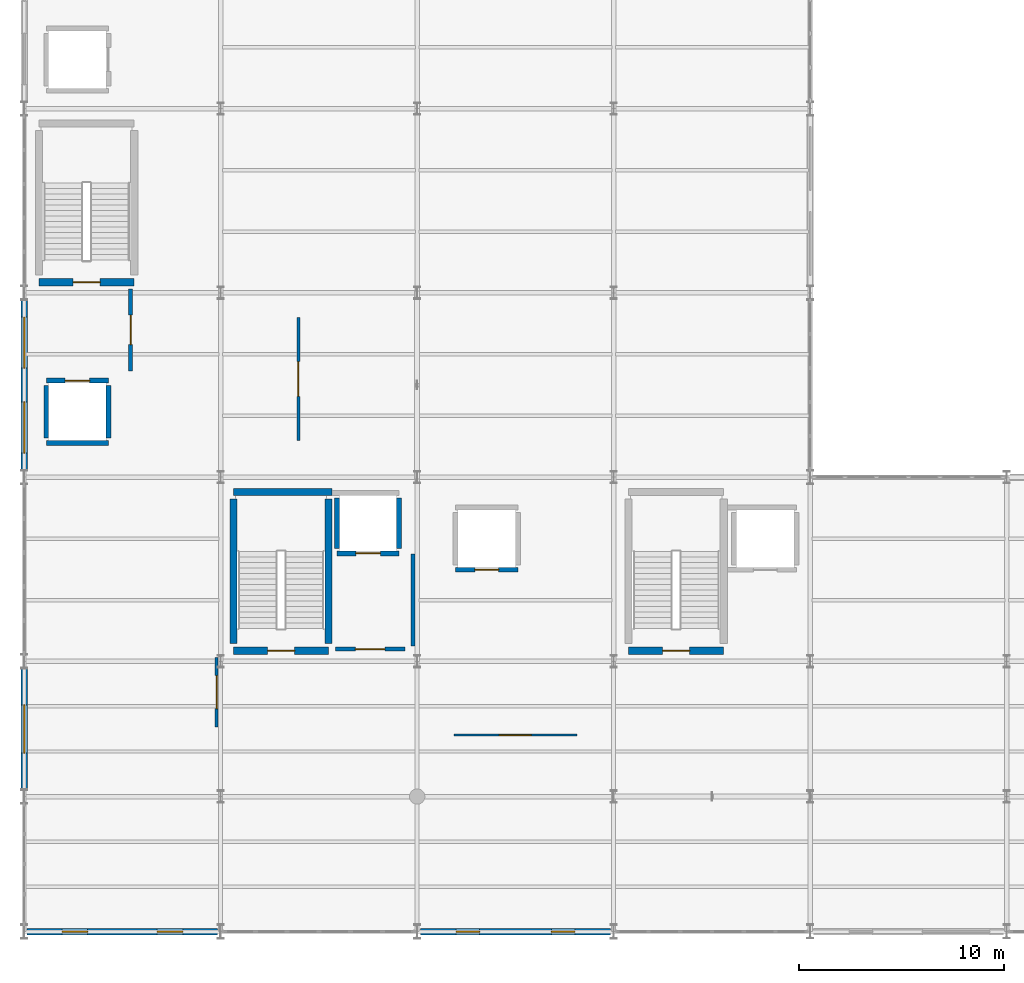
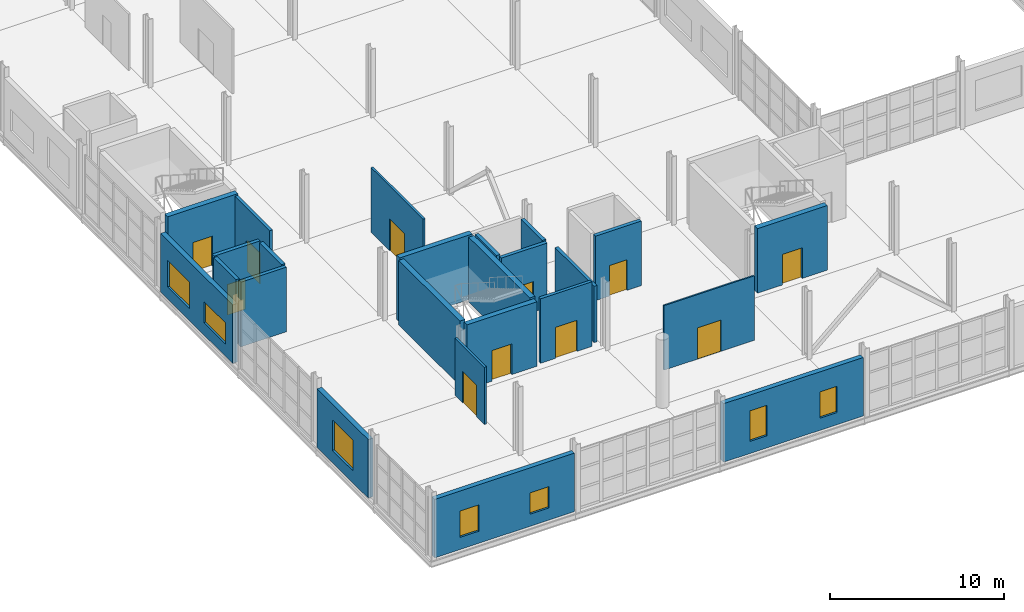
# One storey, part 106 of 120: 24 walls, 11 doors, 7 windows, 18 openings.
"""IFC4 building model written with IfcOpenShell, lengths in metres."""

from ifc_helpers import new_model, si_unit, direction, frame, frame_2d, origin, place, context, subcontext, project, spatial, rectangle, extrude, material, layer, layer_set, type_object, element, fill, save


model = new_model("IFC4")

# Units and contexts
model_context = context("Model", 3, precision=1e-05, world=origin(), true_north=direction((0.0, 1.0)))
body_context = subcontext(model_context, "Body", "Model", "MODEL_VIEW")
ifc_project = project(units=[si_unit("LENGTHUNIT", "METRE"), si_unit("AREAUNIT", "SQUARE_METRE"), si_unit("VOLUMEUNIT", "CUBIC_METRE"), si_unit("PLANEANGLEUNIT", "RADIAN"), si_unit("MASSUNIT", "GRAM", prefix="KILO")], contexts=[model_context])

# Site, building, storey
site_placement = place(None, origin())
site = spatial("IfcSite", under=ifc_project, at=site_placement, CompositionType="ELEMENT")
building_placement = place(site_placement, origin())
building = spatial("IfcBuilding", under=site, at=building_placement, Name="Zarnetskaya Central Station", CompositionType="ELEMENT")
storey_placement = place(building_placement, frame((0.0, 0.0, 5.39990234375)))
storey = spatial("IfcBuildingStorey", under=building, at=storey_placement, Name="L01", CompositionType="ELEMENT", Elevation=5.39990234375)

# Wall, opening, door
ifc_material_1 = material(Name="Gypsum acoustic partition")
ifc_layer_1 = layer(ifc_material_1, 0.159912109375, Name="Gypsum acoustic partition")
ifc_layer_set_1 = layer_set([ifc_layer_1], Name="Gypsum acoustic partition")
wall_type_1 = type_object("IfcWallType", Name="PART-ACOU-160", PredefinedType="PARTITIONING", material=ifc_layer_set_1)
wall_1_placement = place(storey_placement, frame((9.39990234375, 13.39990234375, 0.0), z_axis=(0.0, 0.0, 1.0), x_axis=(0.0, -1.0, 0.0)))
wall_1 = element("IfcWall", 1, at=wall_1_placement, inside=storey, type_object=wall_type_1, Name="Interior partition IPRT-L01-0413", PredefinedType="PARTITIONING", context=body_context, shape_type="SweptSolid", body=[
    extrude(rectangle(XDim=3.39990234375, YDim=0.159912109375, at=frame_2d((1.699951171875, 0.0))), origin(), (0.0, 0.0, 1.0), 4.010009765625),
])
opening_1_placement = place(wall_1_placement, frame((0.889892578125, 0.0, 0.0)))
opening_1 = element("IfcOpeningElement", 2, at=opening_1_placement, cuts=wall_1, Name="Opening DR-13", PredefinedType="OPENING", context=body_context, shape_type="SweptSolid", body=[
    extrude(rectangle(XDim=1.6201171875, YDim=2.219970703125, at=frame_2d((0.81005859375, 1.10986328125))), frame((0.0, 0.08984375, 0.0), z_axis=(0.0, -1.0, 0.0), x_axis=(1.0, 0.0, 0.0)), (0.0, 0.0, 1.0), 0.179931640625),
])
ifc_material_2 = material(Name="Anodised aluminium", Category="aluminium")
door_type_1 = type_object("IfcDoorType", Name="DR-INT-16", OperationType="NOTDEFINED", PredefinedType="DOOR", material=ifc_material_2)
door_1_placement = place(opening_1_placement, origin())
door_1 = element("IfcDoor", 3, at=door_1_placement, inside=storey, type_object=door_type_1, Name="Passenger Customer Service and Lost Property Suite door", OperationType="SINGLE_SWING_LEFT", OverallHeight=2.219970703125, OverallWidth=1.6201171875, PredefinedType="DOOR", context=body_context, shape_type="SweptSolid", body=[
    extrude(rectangle(XDim=1.6201171875, YDim=2.219970703125, at=frame_2d((0.81005859375, 1.10986328125))), frame((0.0, 0.02490234375, 0.0), z_axis=(0.0, -1.0, 0.0), x_axis=(1.0, 0.0, 0.0)), (0.0, 0.0, 1.0), 0.050048828125),
])
fill(opening_1, door_1)

ifc_material_3 = material(Name="Concrete C30/37", Category="concrete")
ifc_layer_2 = layer(ifc_material_3, 0.205078125, Name="Concrete C30/37", Category="concrete")
ifc_layer_set_2 = layer_set([ifc_layer_2], Name="Concrete C30/37")
wall_type_2 = type_object("IfcWallType", Name="PART-FFL-205", PredefinedType="PARTITIONING", material=ifc_layer_set_2)
wall_2_placement = place(storey_placement, frame((18.60009765625, 13.800048828125, 0.0), z_axis=(0.0, 0.0, 1.0), x_axis=(-1.0, 0.0, 0.0)))
wall_2 = element("IfcWall", 4, at=wall_2_placement, inside=storey, type_object=wall_type_2, Name="Interior partition IPRT-L01-0359", PredefinedType="PARTITIONING", context=body_context, shape_type="SweptSolid", body=[
    extrude(rectangle(XDim=3.400146484375, YDim=0.205078125, at=frame_2d((1.7001953125, 0.0))), origin(), (0.0, 0.0, 1.0), 4.5400390625),
])
opening_2_placement = place(wall_2_placement, frame((0.97998046875, 0.0, 0.0)))
opening_2 = element("IfcOpeningElement", 5, at=opening_2_placement, cuts=wall_2, Name="Opening DR-FFL", PredefinedType="OPENING", context=body_context, shape_type="SweptSolid", body=[
    extrude(rectangle(XDim=1.43994140625, YDim=2.179931640625, at=frame_2d((0.719970703125, 1.08984375))), frame((0.0, 0.112548828125, 0.0), z_axis=(0.0, -1.0, 0.0), x_axis=(1.0, 0.0, 0.0)), (0.0, 0.0, 1.0), 0.22509765625),
])
door_type_2 = type_object("IfcDoorType", Name="DR-FIRE-LOBBY", OperationType="NOTDEFINED", PredefinedType="DOOR", material=ifc_material_2)
door_2_placement = place(opening_2_placement, origin())
door_2 = element("IfcDoor", 6, at=door_2_placement, inside=storey, type_object=door_type_2, Name="Firefighting Lift Lobby C1 door", OperationType="SINGLE_SWING_RIGHT", OverallHeight=2.179931640625, OverallWidth=1.43994140625, PredefinedType="DOOR", context=body_context, shape_type="SweptSolid", body=[
    extrude(rectangle(XDim=1.43994140625, YDim=2.179931640625, at=frame_2d((0.719970703125, 1.08984375))), frame((0.0, 0.02490234375, 0.0), z_axis=(0.0, -1.0, 0.0), x_axis=(1.0, 0.0, 0.0)), (0.0, 0.0, 1.0), 0.050048828125),
])
fill(opening_2, door_2)

# Wall
wall_3_placement = place(storey_placement, frame((19.0, 18.449951171875, 0.0), z_axis=(0.0, 0.0, 1.0), x_axis=(0.0, -1.0, 0.0)))
element("IfcWall", 7, at=wall_3_placement, inside=storey, type_object=wall_type_2, Name="Interior partition IPRT-L01-0360", PredefinedType="PARTITIONING", context=body_context, shape_type="SweptSolid", body=[
    extrude(rectangle(XDim=4.5, YDim=0.205078125, at=frame_2d((2.25, 0.0))), origin(), (0.0, 0.0, 1.0), 3.960205078125),
])

# Wall, opening, door
wall_4_placement = place(storey_placement, frame((5.199951171875, 31.39990234375, 0.0), z_axis=(0.0, 0.0, 1.0), x_axis=(0.0, -1.0, 0.0)))
wall_4 = element("IfcWall", 8, at=wall_4_placement, inside=storey, type_object=wall_type_2, Name="Interior partition IPRT-L01-0361", PredefinedType="PARTITIONING", context=body_context, shape_type="SweptSolid", body=[
    extrude(rectangle(XDim=4.0, YDim=0.205078125, at=frame_2d((2.0, 0.0))), origin(), (0.0, 0.0, 1.0), 4.5400390625),
])
opening_3_placement = place(wall_4_placement, frame((1.280029296875, 0.0, 0.0)))
opening_3 = element("IfcOpeningElement", 9, at=opening_3_placement, cuts=wall_4, Name="Opening DR-FFL", PredefinedType="OPENING", context=body_context, shape_type="SweptSolid", body=[
    extrude(rectangle(XDim=1.43994140625, YDim=2.179931640625, at=frame_2d((0.719970703125, 1.08984375))), frame((0.0, 0.112548828125, 0.0), z_axis=(0.0, -1.0, 0.0), x_axis=(1.0, 0.0, 0.0)), (0.0, 0.0, 1.0), 0.22509765625),
])
door_3_placement = place(opening_3_placement, origin())
door_3 = element("IfcDoor", 10, at=door_3_placement, inside=storey, type_object=door_type_2, Name="Firefighting Lift Lobby C2 door", OperationType="SINGLE_SWING_LEFT", OverallHeight=2.179931640625, OverallWidth=1.43994140625, PredefinedType="DOOR", context=body_context, shape_type="SweptSolid", body=[
    extrude(rectangle(XDim=1.43994140625, YDim=2.179931640625, at=frame_2d((0.719970703125, 1.08984375))), frame((0.0, 0.02490234375, 0.0), z_axis=(0.0, -1.0, 0.0), x_axis=(1.0, 0.0, 0.0)), (0.0, 0.0, 1.0), 0.050048828125),
])
fill(opening_3, door_3)

ifc_layer_3 = layer(ifc_material_1, 0.14501953125, Name="Gypsum acoustic partition")
ifc_layer_set_3 = layer_set([ifc_layer_3], Name="Gypsum acoustic partition")
wall_type_3 = type_object("IfcWallType", Name="PART-HALL-145", PredefinedType="PARTITIONING", material=ifc_layer_set_3)
wall_5_placement = place(storey_placement, frame((13.39990234375, 24.0, 0.0), z_axis=(0.0, 0.0, 1.0), x_axis=(0.0, 1.0, 0.0)))
wall_5 = element("IfcWall", 11, at=wall_5_placement, inside=storey, type_object=wall_type_3, Name="Interior partition IPRT-L01-0414", PredefinedType="PARTITIONING", context=body_context, shape_type="SweptSolid", body=[
    extrude(rectangle(XDim=6.0, YDim=0.14501953125, at=frame_2d((3.0, 0.0))), origin(), (0.0, 0.0, 1.0), 4.5400390625),
])
opening_4_placement = place(wall_5_placement, frame((2.14990234375, 0.0, 0.0)))
opening_4 = element("IfcOpeningElement", 12, at=opening_4_placement, cuts=wall_5, Name="Opening DR-05", PredefinedType="OPENING", context=body_context, shape_type="SweptSolid", body=[
    extrude(rectangle(XDim=1.699951171875, YDim=2.219970703125, at=frame_2d((0.85009765625, 1.10986328125))), frame((0.0, 0.08251953125, 0.0), z_axis=(0.0, -1.0, 0.0), x_axis=(1.0, 0.0, 0.0)), (0.0, 0.0, 1.0), 0.1650390625),
])
door_type_3 = type_object("IfcDoorType", Name="DR-INT-17", OperationType="NOTDEFINED", PredefinedType="DOOR", material=ifc_material_2)
door_4_placement = place(opening_4_placement, origin())
door_4 = element("IfcDoor", 13, at=door_4_placement, inside=storey, type_object=door_type_3, Name="Station Operations Mezzanine East door", OperationType="SINGLE_SWING_RIGHT", OverallHeight=2.219970703125, OverallWidth=1.699951171875, PredefinedType="DOOR", context=body_context, shape_type="SweptSolid", body=[
    extrude(rectangle(XDim=1.699951171875, YDim=2.219970703125, at=frame_2d((0.85009765625, 1.10986328125))), frame((0.0, 0.02490234375, 0.0), z_axis=(0.0, -1.0, 0.0), x_axis=(1.0, 0.0, 0.0)), (0.0, 0.0, 1.0), 0.050048828125),
])
fill(opening_4, door_4)

ifc_material_4 = material(Name="Gypsum stud partition")
ifc_layer_4 = layer(ifc_material_4, 0.10009765625, Name="Gypsum stud partition")
ifc_layer_set_4 = layer_set([ifc_layer_4], Name="Gypsum stud partition")
wall_type_4 = type_object("IfcWallType", Name="PART-LGT-100", PredefinedType="PARTITIONING", material=ifc_layer_set_4)
wall_6_placement = place(storey_placement, frame((21.0, 9.60009765625, 0.0), z_axis=(0.0, 0.0, 1.0), x_axis=(1.0, 0.0, 0.0)))
wall_6 = element("IfcWall", 14, at=wall_6_placement, inside=storey, type_object=wall_type_4, Name="Interior partition IPRT-L01-0412", PredefinedType="PARTITIONING", context=body_context, shape_type="SweptSolid", body=[
    extrude(rectangle(XDim=6.0, YDim=0.10009765625, at=frame_2d((3.0, 0.0))), origin(), (0.0, 0.0, 1.0), 4.5400390625),
])
opening_5_placement = place(wall_6_placement, frame((2.219970703125, 0.0, 0.0)))
opening_5 = element("IfcOpeningElement", 15, at=opening_5_placement, cuts=wall_6, Name="Opening DR-10", PredefinedType="OPENING", context=body_context, shape_type="SweptSolid", body=[
    extrude(rectangle(XDim=1.56005859375, YDim=2.199951171875, at=frame_2d((0.780029296875, 1.10009765625))), frame((0.0, 0.06005859375, 0.0), z_axis=(0.0, -1.0, 0.0), x_axis=(1.0, 0.0, 0.0)), (0.0, 0.0, 1.0), 0.1201171875),
])
door_type_4 = type_object("IfcDoorType", Name="DR-INT-15", OperationType="NOTDEFINED", PredefinedType="DOOR", material=ifc_material_2)
door_5_placement = place(opening_5_placement, origin())
door_5 = element("IfcDoor", 16, at=door_5_placement, inside=storey, type_object=door_type_4, Name="International Ticketing Mezzanine and Travel Centre door", OperationType="SINGLE_SWING_RIGHT", OverallHeight=2.199951171875, OverallWidth=1.56005859375, PredefinedType="DOOR", context=body_context, shape_type="SweptSolid", body=[
    extrude(rectangle(XDim=1.56005859375, YDim=2.199951171875, at=frame_2d((0.780029296875, 1.10009765625))), frame((0.0, 0.02490234375, 0.0), z_axis=(0.0, -1.0, 0.0), x_axis=(1.0, 0.0, 0.0)), (0.0, 0.0, 1.0), 0.050048828125),
])
fill(opening_5, door_5)

ifc_material_5 = material(Name="Concrete C35/45", Category="concrete")
ifc_layer_5 = layer(ifc_material_5, 0.35009765625, Name="Concrete C35/45", Category="concrete")
ifc_layer_set_5 = layer_set([ifc_layer_5], Name="Concrete C35/45")
wall_type_5 = type_object("IfcWallType", Name="WALL-CORE-350", PredefinedType="SHEAR", material=ifc_layer_set_5)
wall_7_placement = place(storey_placement, frame((14.875, 13.72509765625, 0.0), z_axis=(0.0, 0.0, 1.0), x_axis=(-1.0, 0.0, 0.0)))
wall_7 = element("IfcWall", 17, at=wall_7_placement, inside=storey, type_object=wall_type_5, Name="Core shear wall WSTR-L01-0197", PredefinedType="SHEAR", context=body_context, shape_type="SweptSolid", body=[
    extrude(rectangle(XDim=4.64990234375, YDim=0.35009765625, at=frame_2d((2.324951171875, 0.0))), origin(), (0.0, 0.0, 1.0), 4.5400390625),
])
opening_6_placement = place(wall_7_placement, frame((1.6650390625, 0.0, 0.0)))
opening_6 = element("IfcOpeningElement", 18, at=opening_6_placement, cuts=wall_7, Name="Opening DR-FD60", PredefinedType="OPENING", context=body_context, shape_type="SweptSolid", body=[
    extrude(rectangle(XDim=1.320068359375, YDim=2.14990234375, at=frame_2d((0.66015625, 1.074951171875))), frame((0.0, 0.18505859375, 0.0), z_axis=(0.0, -1.0, 0.0), x_axis=(1.0, 0.0, 0.0)), (0.0, 0.0, 1.0), 0.3701171875),
])
door_type_5 = type_object("IfcDoorType", Name="DR-FIRE-STAIR", OperationType="NOTDEFINED", PredefinedType="DOOR", material=ifc_material_2)
door_6_placement = place(opening_6_placement, origin())
door_6 = element("IfcDoor", 19, at=door_6_placement, inside=storey, type_object=door_type_5, Name="Protected exit stair door ST-C1 L01", OperationType="SINGLE_SWING_LEFT", OverallHeight=2.14990234375, OverallWidth=1.320068359375, PredefinedType="DOOR", context=body_context, shape_type="SweptSolid", body=[
    extrude(rectangle(XDim=1.320068359375, YDim=2.14990234375, at=frame_2d((0.66015625, 1.074951171875))), frame((0.0, 0.02490234375, 0.0), z_axis=(0.0, -1.0, 0.0), x_axis=(1.0, 0.0, 0.0)), (0.0, 0.0, 1.0), 0.050048828125),
])
fill(opening_6, door_6)

# Walls
wall_8_placement = place(storey_placement, frame((10.22509765625, 21.47509765625, 0.0), z_axis=(0.0, 0.0, 1.0), x_axis=(1.0, 0.0, 0.0)))
element("IfcWall", 20, at=wall_8_placement, inside=storey, type_object=wall_type_5, Name="Core shear wall WSTR-L01-0198", PredefinedType="SHEAR", context=body_context, shape_type="SweptSolid", body=[
    extrude(rectangle(XDim=4.824951171875, YDim=0.35009765625, at=frame_2d((2.41259765625, 0.0))), origin(), (0.0, 0.0, 1.0), 4.5400390625),
])
for number, where, z_axis, x_axis, name in (
    (21, (10.22509765625, 14.074951171875, 0.0), (0.0, 0.0, 1.0), (0.0, 1.0, 0.0), "Core shear wall WSTR-L01-0199"),
    (22, (14.875, 21.125, 0.0), (0.0, 0.0, 1.0), (0.0, -1.0, 0.0), "Core shear wall WSTR-L01-0200"),
):
    element("IfcWall", number, at=place(storey_placement, frame(where, z_axis=z_axis, x_axis=x_axis)), inside=storey, type_object=wall_type_5, Name=name, PredefinedType="SHEAR", context=body_context, shape_type="SweptSolid", body=[
        extrude(rectangle(XDim=7.050048828125, YDim=0.35009765625, at=frame_2d((3.52490234375, 0.0))), origin(), (0.0, 0.0, 1.0), 4.5400390625),
    ])

# Wall, opening, door
wall_9_placement = place(storey_placement, frame((5.375, 31.72509765625, 0.0), z_axis=(0.0, 0.0, 1.0), x_axis=(-1.0, 0.0, 0.0)))
wall_9 = element("IfcWall", 23, at=wall_9_placement, inside=storey, type_object=wall_type_5, Name="Core shear wall WSTR-L01-0225", PredefinedType="SHEAR", context=body_context, shape_type="SweptSolid", body=[
    extrude(rectangle(XDim=4.64990234375, YDim=0.35009765625, at=frame_2d((2.324951171875, 0.0))), origin(), (0.0, 0.0, 1.0), 4.5400390625),
])
opening_7_placement = place(wall_9_placement, frame((1.6650390625, 0.0, 0.0)))
opening_7 = element("IfcOpeningElement", 24, at=opening_7_placement, cuts=wall_9, Name="Opening DR-FD60", PredefinedType="OPENING", context=body_context, shape_type="SweptSolid", body=[
    extrude(rectangle(XDim=1.320068359375, YDim=2.14990234375, at=frame_2d((0.66015625, 1.074951171875))), frame((0.0, 0.18505859375, 0.0), z_axis=(0.0, -1.0, 0.0), x_axis=(1.0, 0.0, 0.0)), (0.0, 0.0, 1.0), 0.3701171875),
])
door_7_placement = place(opening_7_placement, origin())
door_7 = element("IfcDoor", 25, at=door_7_placement, inside=storey, type_object=door_type_5, Name="Protected exit stair door ST-C2 L01", OperationType="SINGLE_SWING_RIGHT", OverallHeight=2.14990234375, OverallWidth=1.320068359375, PredefinedType="DOOR", context=body_context, shape_type="SweptSolid", body=[
    extrude(rectangle(XDim=1.320068359375, YDim=2.14990234375, at=frame_2d((0.66015625, 1.074951171875))), frame((0.0, 0.02490234375, 0.0), z_axis=(0.0, -1.0, 0.0), x_axis=(1.0, 0.0, 0.0)), (0.0, 0.0, 1.0), 0.050048828125),
])
fill(opening_7, door_7)

wall_10_placement = place(storey_placement, frame((34.175048828125, 13.72509765625, 0.0), z_axis=(0.0, 0.0, 1.0), x_axis=(-1.0, 0.0, 0.0)))
wall_10 = element("IfcWall", 26, at=wall_10_placement, inside=storey, type_object=wall_type_5, Name="Core shear wall WSTR-L01-0253", PredefinedType="SHEAR", context=body_context, shape_type="SweptSolid", body=[
    extrude(rectangle(XDim=4.650146484375, YDim=0.35009765625, at=frame_2d((2.3251953125, 0.0))), origin(), (0.0, 0.0, 1.0), 4.5400390625),
])
opening_8_placement = place(wall_10_placement, frame((1.6650390625, 0.0, 0.0)))
opening_8 = element("IfcOpeningElement", 27, at=opening_8_placement, cuts=wall_10, Name="Opening DR-FD60", PredefinedType="OPENING", context=body_context, shape_type="SweptSolid", body=[
    extrude(rectangle(XDim=1.320068359375, YDim=2.14990234375, at=frame_2d((0.66015625, 1.074951171875))), frame((0.0, 0.18505859375, 0.0), z_axis=(0.0, -1.0, 0.0), x_axis=(1.0, 0.0, 0.0)), (0.0, 0.0, 1.0), 0.3701171875),
])
door_8_placement = place(opening_8_placement, origin())
door_8 = element("IfcDoor", 28, at=door_8_placement, inside=storey, type_object=door_type_5, Name="Protected exit stair door ST-C3 L01", OperationType="SINGLE_SWING_LEFT", OverallHeight=2.14990234375, OverallWidth=1.320068359375, PredefinedType="DOOR", context=body_context, shape_type="SweptSolid", body=[
    extrude(rectangle(XDim=1.320068359375, YDim=2.14990234375, at=frame_2d((0.66015625, 1.074951171875))), frame((0.0, 0.02490234375, 0.0), z_axis=(0.0, -1.0, 0.0), x_axis=(1.0, 0.0, 0.0)), (0.0, 0.0, 1.0), 0.050048828125),
])
fill(opening_8, door_8)

# Wall, opening, window
ifc_material_6 = material(Name="Precast concrete C40/50", Category="concrete")
ifc_layer_6 = layer(ifc_material_6, 0.320068359375, Name="Precast concrete C40/50", Category="concrete")
ifc_layer_set_6 = layer_set([ifc_layer_6], Name="Precast concrete C40/50")
wall_type_6 = type_object("IfcWallType", Name="WALL-EXT-320", PredefinedType="SOLIDWALL", material=ifc_layer_set_6)
wall_11_placement = place(storey_placement, frame((0.0, 6.949951171875, 0.0), z_axis=(0.0, 0.0, 1.0), x_axis=(0.0, 1.0, 0.0)))
wall_11 = element("IfcWall", 29, at=wall_11_placement, inside=storey, type_object=wall_type_6, Name="Exterior precast wall EW-L01-0-70-0-128", PredefinedType="SOLIDWALL", context=body_context, shape_type="SweptSolid", body=[
    extrude(rectangle(XDim=5.900146484375, YDim=0.320068359375, at=frame_2d((2.9501953125, 0.0))), origin(), (0.0, 0.0, 1.0), 4.110107421875),
])
opening_9_placement = place(wall_11_placement, frame((1.77490234375, 0.0, 0.85009765625)))
opening_9 = element("IfcOpeningElement", 30, at=opening_9_placement, cuts=wall_11, Name="Opening WN-17", PredefinedType="OPENING", context=body_context, shape_type="SweptSolid", body=[
    extrude(rectangle(XDim=2.35009765625, YDim=2.14990234375, at=frame_2d((1.175048828125, 1.074951171875))), frame((0.0, 0.169921875, 0.0), z_axis=(0.0, -1.0, 0.0), x_axis=(1.0, 0.0, 0.0)), (0.0, 0.0, 1.0), 0.340087890625),
])
ifc_material_7 = material(Name="Low-E insulated glass", Category="glass")
window_type_1 = type_object("IfcWindowType", Name="WIN-36", PartitioningType="DOUBLE_PANEL_VERTICAL", PredefinedType="WINDOW", material=ifc_material_7)
window_1_placement = place(opening_9_placement, origin())
window_1 = element("IfcWindow", 31, at=window_1_placement, inside=storey, type_object=window_type_1, Name="Facade window L01-0036", OverallHeight=2.14990234375, OverallWidth=2.35009765625, PartitioningType="SINGLE_PANEL", PredefinedType="WINDOW", context=body_context, shape_type="SweptSolid", body=[
    extrude(rectangle(XDim=2.35009765625, YDim=2.14990234375, at=frame_2d((1.175048828125, 1.074951171875))), frame((0.0, 0.030029296875, 0.0), z_axis=(0.0, -1.0, 0.0), x_axis=(1.0, 0.0, 0.0)), (0.0, 0.0, 1.0), 0.06005859375),
])
fill(opening_9, window_1)

# Wall, openings, windows
wall_12_placement = place(storey_placement, frame((0.0, 22.550048828125, 0.0), z_axis=(0.0, 0.0, 1.0), x_axis=(0.0, 1.0, 0.0)))
wall_12 = element("IfcWall", 32, at=wall_12_placement, inside=storey, type_object=wall_type_6, Name="Exterior precast wall EW-L01-0-226-0-308", PredefinedType="SOLIDWALL", context=body_context, shape_type="SweptSolid", body=[
    extrude(rectangle(XDim=8.300048828125, YDim=0.320068359375, at=frame_2d((4.14990234375, 0.0))), origin(), (0.0, 0.0, 1.0), 4.110107421875),
])
opening_10_placement = place(wall_12_placement, frame((0.824951171875, 0.0, 0.85009765625)))
opening_10 = element("IfcOpeningElement", 33, at=opening_10_placement, cuts=wall_12, Name="Opening WN-39", PredefinedType="OPENING", context=body_context, shape_type="SweptSolid", body=[
    extrude(rectangle(XDim=2.5, YDim=1.5, at=frame_2d((1.25, 0.75))), frame((0.0, 0.169921875, 0.0), z_axis=(0.0, -1.0, 0.0), x_axis=(1.0, 0.0, 0.0)), (0.0, 0.0, 1.0), 0.340087890625),
])
opening_11_placement = place(wall_12_placement, frame((4.97509765625, 0.0, 0.85009765625)))
opening_11 = element("IfcOpeningElement", 34, at=opening_11_placement, cuts=wall_12, Name="Opening WN-35", PredefinedType="OPENING", context=body_context, shape_type="SweptSolid", body=[
    extrude(rectangle(XDim=2.5, YDim=1.85009765625, at=frame_2d((1.25, 0.925048828125))), frame((0.0, 0.169921875, 0.0), z_axis=(0.0, -1.0, 0.0), x_axis=(1.0, 0.0, 0.0)), (0.0, 0.0, 1.0), 0.340087890625),
])
window_type_2 = type_object("IfcWindowType", Name="WIN-37", PartitioningType="DOUBLE_PANEL_VERTICAL", PredefinedType="WINDOW", material=ifc_material_7)
window_2_placement = place(opening_10_placement, origin())
window_2 = element("IfcWindow", 35, at=window_2_placement, inside=storey, type_object=window_type_2, Name="Facade window L01-0037", OverallHeight=1.5, OverallWidth=2.5, PartitioningType="SINGLE_PANEL", PredefinedType="WINDOW", context=body_context, shape_type="SweptSolid", body=[
    extrude(rectangle(XDim=2.5, YDim=1.5, at=frame_2d((1.25, 0.75))), frame((0.0, 0.030029296875, 0.0), z_axis=(0.0, -1.0, 0.0), x_axis=(1.0, 0.0, 0.0)), (0.0, 0.0, 1.0), 0.06005859375),
])
fill(opening_10, window_2)
window_type_3 = type_object("IfcWindowType", Name="WIN-38", PartitioningType="DOUBLE_PANEL_VERTICAL", PredefinedType="WINDOW", material=ifc_material_7)
window_3_placement = place(opening_11_placement, origin())
window_3 = element("IfcWindow", 36, at=window_3_placement, inside=storey, type_object=window_type_3, Name="Facade window L01-0038", OverallHeight=1.85009765625, OverallWidth=2.5, PartitioningType="SINGLE_PANEL", PredefinedType="WINDOW", context=body_context, shape_type="SweptSolid", body=[
    extrude(rectangle(XDim=2.5, YDim=1.85009765625, at=frame_2d((1.25, 0.925048828125))), frame((0.0, 0.030029296875, 0.0), z_axis=(0.0, -1.0, 0.0), x_axis=(1.0, 0.0, 0.0)), (0.0, 0.0, 1.0), 0.06005859375),
])
fill(opening_11, window_3)

wall_13_placement = place(storey_placement, frame((28.64990234375, 0.0, 0.0), z_axis=(0.0, 0.0, 1.0), x_axis=(-1.0, 0.0, 0.0)))
wall_13 = element("IfcWall", 37, at=wall_13_placement, inside=storey, type_object=wall_type_6, Name="Exterior precast wall EW-L01-286-0-194-0", PredefinedType="SOLIDWALL", context=body_context, shape_type="SweptSolid", body=[
    extrude(rectangle(XDim=9.2998046875, YDim=0.320068359375, at=frame_2d((4.64990234375, 0.0))), origin(), (0.0, 0.0, 1.0), 4.110107421875),
])
opening_12_placement = place(wall_13_placement, frame((1.75, 0.0, 0.85009765625)))
opening_12 = element("IfcOpeningElement", 38, at=opening_12_placement, cuts=wall_13, Name="Opening WN-14", PredefinedType="OPENING", context=body_context, shape_type="SweptSolid", body=[
    extrude(rectangle(XDim=1.14990234375, YDim=1.85009765625, at=frame_2d((0.574951171875, 0.925048828125))), frame((0.0, 0.169921875, 0.0), z_axis=(0.0, -1.0, 0.0), x_axis=(1.0, 0.0, 0.0)), (0.0, 0.0, 1.0), 0.340087890625),
])
opening_13_placement = place(wall_13_placement, frame((6.39990234375, 0.0, 0.85009765625)))
opening_13 = element("IfcOpeningElement", 39, at=opening_13_placement, cuts=wall_13, Name="Opening WN-25", PredefinedType="OPENING", context=body_context, shape_type="SweptSolid", body=[
    extrude(rectangle(XDim=1.14990234375, YDim=2.14990234375, at=frame_2d((0.574951171875, 1.074951171875))), frame((0.0, 0.169921875, 0.0), z_axis=(0.0, -1.0, 0.0), x_axis=(1.0, 0.0, 0.0)), (0.0, 0.0, 1.0), 0.340087890625),
])
window_type_4 = type_object("IfcWindowType", Name="WIN-02", PartitioningType="SINGLE_PANEL", PredefinedType="WINDOW", material=ifc_material_7)
window_4_placement = place(opening_12_placement, origin())
window_4 = element("IfcWindow", 40, at=window_4_placement, inside=storey, type_object=window_type_4, Name="Facade window L01-0056", OverallHeight=1.85009765625, OverallWidth=1.14990234375, PartitioningType="SINGLE_PANEL", PredefinedType="WINDOW", context=body_context, shape_type="SweptSolid", body=[
    extrude(rectangle(XDim=1.14990234375, YDim=1.85009765625, at=frame_2d((0.574951171875, 0.925048828125))), frame((0.0, 0.030029296875, 0.0), z_axis=(0.0, -1.0, 0.0), x_axis=(1.0, 0.0, 0.0)), (0.0, 0.0, 1.0), 0.06005859375),
])
fill(opening_12, window_4)
window_type_5 = type_object("IfcWindowType", Name="WIN-03", PartitioningType="SINGLE_PANEL", PredefinedType="WINDOW", material=ifc_material_7)
window_5_placement = place(opening_13_placement, origin())
window_5 = element("IfcWindow", 41, at=window_5_placement, inside=storey, type_object=window_type_5, Name="Facade window L01-0057", OverallHeight=2.14990234375, OverallWidth=1.14990234375, PartitioningType="SINGLE_PANEL", PredefinedType="WINDOW", context=body_context, shape_type="SweptSolid", body=[
    extrude(rectangle(XDim=1.14990234375, YDim=2.14990234375, at=frame_2d((0.574951171875, 1.074951171875))), frame((0.0, 0.030029296875, 0.0), z_axis=(0.0, -1.0, 0.0), x_axis=(1.0, 0.0, 0.0)), (0.0, 0.0, 1.0), 0.06005859375),
])
fill(opening_13, window_5)

wall_14_placement = place(storey_placement, frame((9.449951171875, 0.0, 0.0), z_axis=(0.0, 0.0, 1.0), x_axis=(-1.0, 0.0, 0.0)))
wall_14 = element("IfcWall", 42, at=wall_14_placement, inside=storey, type_object=wall_type_6, Name="Exterior precast wall EW-L01-94-0-2-0", PredefinedType="SOLIDWALL", context=body_context, shape_type="SweptSolid", body=[
    extrude(rectangle(XDim=9.300048828125, YDim=0.320068359375, at=frame_2d((4.64990234375, 0.0))), origin(), (0.0, 0.0, 1.0), 4.110107421875),
])
opening_14_placement = place(wall_14_placement, frame((1.699951171875, 0.0, 0.85009765625)))
opening_14 = element("IfcOpeningElement", 43, at=opening_14_placement, cuts=wall_14, Name="Opening WN-26", PredefinedType="OPENING", context=body_context, shape_type="SweptSolid", body=[
    extrude(rectangle(XDim=1.25, YDim=1.5, at=frame_2d((0.625, 0.75))), frame((0.0, 0.169921875, 0.0), z_axis=(0.0, -1.0, 0.0), x_axis=(1.0, 0.0, 0.0)), (0.0, 0.0, 1.0), 0.340087890625),
])
opening_15_placement = place(wall_14_placement, frame((6.35009765625, 0.0, 0.85009765625)))
opening_15 = element("IfcOpeningElement", 44, at=opening_15_placement, cuts=wall_14, Name="Opening WN-21", PredefinedType="OPENING", context=body_context, shape_type="SweptSolid", body=[
    extrude(rectangle(XDim=1.25, YDim=1.85009765625, at=frame_2d((0.625, 0.925048828125))), frame((0.0, 0.169921875, 0.0), z_axis=(0.0, -1.0, 0.0), x_axis=(1.0, 0.0, 0.0)), (0.0, 0.0, 1.0), 0.340087890625),
])
window_type_6 = type_object("IfcWindowType", Name="WIN-04", PartitioningType="SINGLE_PANEL", PredefinedType="WINDOW", material=ifc_material_7)
window_6_placement = place(opening_14_placement, origin())
window_6 = element("IfcWindow", 45, at=window_6_placement, inside=storey, type_object=window_type_6, Name="Facade window L01-0058", OverallHeight=1.5, OverallWidth=1.25, PartitioningType="SINGLE_PANEL", PredefinedType="WINDOW", context=body_context, shape_type="SweptSolid", body=[
    extrude(rectangle(XDim=1.25, YDim=1.5, at=frame_2d((0.625, 0.75))), frame((0.0, 0.030029296875, 0.0), z_axis=(0.0, -1.0, 0.0), x_axis=(1.0, 0.0, 0.0)), (0.0, 0.0, 1.0), 0.06005859375),
])
fill(opening_14, window_6)
window_type_7 = type_object("IfcWindowType", Name="WIN-05", PartitioningType="SINGLE_PANEL", PredefinedType="WINDOW", material=ifc_material_7)
window_7_placement = place(opening_15_placement, origin())
window_7 = element("IfcWindow", 46, at=window_7_placement, inside=storey, type_object=window_type_7, Name="Facade window L01-0059", OverallHeight=1.85009765625, OverallWidth=1.25, PartitioningType="SINGLE_PANEL", PredefinedType="WINDOW", context=body_context, shape_type="SweptSolid", body=[
    extrude(rectangle(XDim=1.25, YDim=1.85009765625, at=frame_2d((0.625, 0.925048828125))), frame((0.0, 0.030029296875, 0.0), z_axis=(0.0, -1.0, 0.0), x_axis=(1.0, 0.0, 0.0)), (0.0, 0.0, 1.0), 0.06005859375),
])
fill(opening_15, window_7)

# Wall, opening, door
ifc_layer_7 = layer(ifc_material_5, 0.239990234375, Name="Concrete C35/45", Category="concrete")
ifc_layer_set_7 = layer_set([ifc_layer_7], Name="Concrete C35/45")
wall_type_7 = type_object("IfcWallType", Name="WALL-SHFT-240", PredefinedType="SHEAR", material=ifc_layer_set_7)
wall_15_placement = place(storey_placement, frame((18.320068359375, 18.47998046875, 0.0), z_axis=(0.0, 0.0, 1.0), x_axis=(-1.0, 0.0, 0.0)))
wall_15 = element("IfcWall", 47, at=wall_15_placement, inside=storey, type_object=wall_type_7, Name="Core shear wall WSHF-L01-0009", PredefinedType="SHEAR", context=body_context, shape_type="SweptSolid", body=[
    extrude(rectangle(XDim=3.0400390625, YDim=0.239990234375, at=frame_2d((1.52001953125, 0.0))), origin(), (0.0, 0.0, 1.0), 4.5400390625),
])
opening_16_placement = place(wall_15_placement, frame((0.919921875, 0.0, 0.0)))
opening_16 = element("IfcOpeningElement", 48, at=opening_16_placement, cuts=wall_15, Name="Opening LD-FF", PredefinedType="OPENING", context=body_context, shape_type="SweptSolid", body=[
    extrude(rectangle(XDim=1.199951171875, YDim=2.14990234375, at=frame_2d((0.60009765625, 1.074951171875))), frame((0.0, 0.1298828125, 0.0), z_axis=(0.0, -1.0, 0.0), x_axis=(1.0, 0.0, 0.0)), (0.0, 0.0, 1.0), 0.260009765625),
])
door_type_6 = type_object("IfcDoorType", Name="DR-LIFT-FF", OperationType="NOTDEFINED", PredefinedType="DOOR", material=ifc_material_2)
door_9_placement = place(opening_16_placement, origin())
door_9 = element("IfcDoor", 49, at=door_9_placement, inside=storey, type_object=door_type_6, Name="Lift landing sliding door FL-01 L01", OperationType="DOUBLE_DOOR_SLIDING", OverallHeight=2.14990234375, OverallWidth=1.199951171875, PredefinedType="DOOR", context=body_context, shape_type="SweptSolid", body=[
    extrude(rectangle(XDim=1.199951171875, YDim=2.14990234375, at=frame_2d((0.60009765625, 1.074951171875))), frame((0.0, 0.02490234375, 0.0), z_axis=(0.0, -1.0, 0.0), x_axis=(1.0, 0.0, 0.0)), (0.0, 0.0, 1.0), 0.050048828125),
])
fill(opening_16, door_9)

# Walls
for number, where, z_axis, x_axis, name in (
    (50, (15.280029296875, 18.719970703125, 0.0), (0.0, 0.0, 1.0), (0.0, 1.0, 0.0), "Core shear wall WSHF-L01-0011"),
    (51, (18.320068359375, 21.179931640625, 0.0), (0.0, 0.0, 1.0), (0.0, -1.0, 0.0), "Core shear wall WSHF-L01-0012"),
):
    element("IfcWall", number, at=place(storey_placement, frame(where, z_axis=z_axis, x_axis=x_axis)), inside=storey, type_object=wall_type_7, Name=name, PredefinedType="SHEAR", context=body_context, shape_type="SweptSolid", body=[
        extrude(rectangle(XDim=2.4599609375, YDim=0.239990234375, at=frame_2d((1.22998046875, 0.0))), origin(), (0.0, 0.0, 1.0), 4.5400390625),
    ])

# Wall, opening, door
wall_16_placement = place(storey_placement, frame((24.1201171875, 17.679931640625, 0.0), z_axis=(0.0, 0.0, 1.0), x_axis=(-1.0, 0.0, 0.0)))
wall_16 = element("IfcWall", 52, at=wall_16_placement, inside=storey, type_object=wall_type_7, Name="Core shear wall WSHF-L01-0037", PredefinedType="SHEAR", context=body_context, shape_type="SweptSolid", body=[
    extrude(rectangle(XDim=3.0400390625, YDim=0.239990234375, at=frame_2d((1.52001953125, 0.0))), origin(), (0.0, 0.0, 1.0), 4.5400390625),
])
opening_17_placement = place(wall_16_placement, frame((0.93994140625, 0.0, 0.0)))
opening_17 = element("IfcOpeningElement", 53, at=opening_17_placement, cuts=wall_16, Name="Opening DR-24", PredefinedType="OPENING", context=body_context, shape_type="SweptSolid", body=[
    extrude(rectangle(XDim=1.159912109375, YDim=2.14990234375, at=frame_2d((0.580078125, 1.074951171875))), frame((0.0, 0.1298828125, 0.0), z_axis=(0.0, -1.0, 0.0), x_axis=(1.0, 0.0, 0.0)), (0.0, 0.0, 1.0), 0.260009765625),
])
door_type_7 = type_object("IfcDoorType", Name="DR-LIFT-PAX", OperationType="NOTDEFINED", PredefinedType="DOOR", material=ifc_material_2)
door_10_placement = place(opening_17_placement, origin())
door_10 = element("IfcDoor", 54, at=door_10_placement, inside=storey, type_object=door_type_7, Name="Lift landing sliding door LP-01 L01", OperationType="DOUBLE_DOOR_SLIDING", OverallHeight=2.14990234375, OverallWidth=1.159912109375, PredefinedType="DOOR", context=body_context, shape_type="SweptSolid", body=[
    extrude(rectangle(XDim=1.159912109375, YDim=2.14990234375, at=frame_2d((0.580078125, 1.074951171875))), frame((0.0, 0.02490234375, 0.0), z_axis=(0.0, -1.0, 0.0), x_axis=(1.0, 0.0, 0.0)), (0.0, 0.0, 1.0), 0.050048828125),
])
fill(opening_17, door_10)

# Wall
wall_17_placement = place(storey_placement, frame((4.1201171875, 23.8798828125, 0.0), z_axis=(0.0, 0.0, 1.0), x_axis=(-1.0, 0.0, 0.0)))
element("IfcWall", 55, at=wall_17_placement, inside=storey, type_object=wall_type_7, Name="Core shear wall WSHF-L01-0065", PredefinedType="SHEAR", context=body_context, shape_type="SweptSolid", body=[
    extrude(rectangle(XDim=3.0400390625, YDim=0.239990234375, at=frame_2d((1.52001953125, 0.0))), origin(), (0.0, 0.0, 1.0), 4.5400390625),
])

# Wall, opening, door
wall_18_placement = place(storey_placement, frame((1.080078125, 26.919921875, 0.0), z_axis=(0.0, 0.0, 1.0), x_axis=(1.0, 0.0, 0.0)))
wall_18 = element("IfcWall", 56, at=wall_18_placement, inside=storey, type_object=wall_type_7, Name="Core shear wall WSHF-L01-0066", PredefinedType="SHEAR", context=body_context, shape_type="SweptSolid", body=[
    extrude(rectangle(XDim=3.0400390625, YDim=0.239990234375, at=frame_2d((1.52001953125, 0.0))), origin(), (0.0, 0.0, 1.0), 4.5400390625),
])
opening_18_placement = place(wall_18_placement, frame((0.919921875, 0.0, 0.0)))
opening_18 = element("IfcOpeningElement", 57, at=opening_18_placement, cuts=wall_18, Name="Opening LD-FF", PredefinedType="OPENING", context=body_context, shape_type="SweptSolid", body=[
    extrude(rectangle(XDim=1.199951171875, YDim=2.14990234375, at=frame_2d((0.60009765625, 1.074951171875))), frame((0.0, 0.1298828125, 0.0), z_axis=(0.0, -1.0, 0.0), x_axis=(1.0, 0.0, 0.0)), (0.0, 0.0, 1.0), 0.260009765625),
])
door_11_placement = place(opening_18_placement, origin())
door_11 = element("IfcDoor", 58, at=door_11_placement, inside=storey, type_object=door_type_6, Name="Lift landing sliding door FL-02 L01", OperationType="DOUBLE_DOOR_SLIDING", OverallHeight=2.14990234375, OverallWidth=1.199951171875, PredefinedType="DOOR", context=body_context, shape_type="SweptSolid", body=[
    extrude(rectangle(XDim=1.199951171875, YDim=2.14990234375, at=frame_2d((0.60009765625, 1.074951171875))), frame((0.0, 0.02490234375, 0.0), z_axis=(0.0, -1.0, 0.0), x_axis=(1.0, 0.0, 0.0)), (0.0, 0.0, 1.0), 0.050048828125),
])
fill(opening_18, door_11)

# Walls
for number, where, z_axis, x_axis, name in (
    (59, (1.080078125, 24.1201171875, 0.0), (0.0, 0.0, 1.0), (0.0, 1.0, 0.0), "Core shear wall WSHF-L01-0067"),
    (60, (4.1201171875, 26.679931640625, 0.0), (0.0, 0.0, 1.0), (0.0, -1.0, 0.0), "Core shear wall WSHF-L01-0068"),
):
    element("IfcWall", number, at=place(storey_placement, frame(where, z_axis=z_axis, x_axis=x_axis)), inside=storey, type_object=wall_type_7, Name=name, PredefinedType="SHEAR", context=body_context, shape_type="SweptSolid", body=[
        extrude(rectangle(XDim=2.559814453125, YDim=0.239990234375, at=frame_2d((1.27978515625, 0.0))), origin(), (0.0, 0.0, 1.0), 4.5400390625),
    ])

save(model, "model.ifc")
